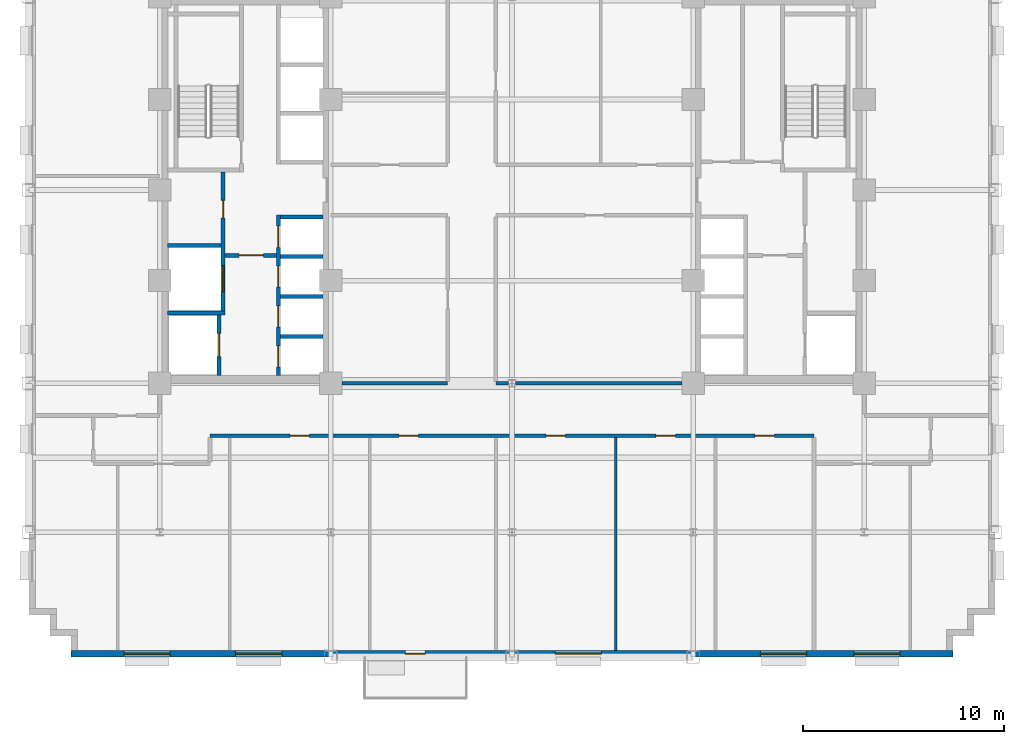
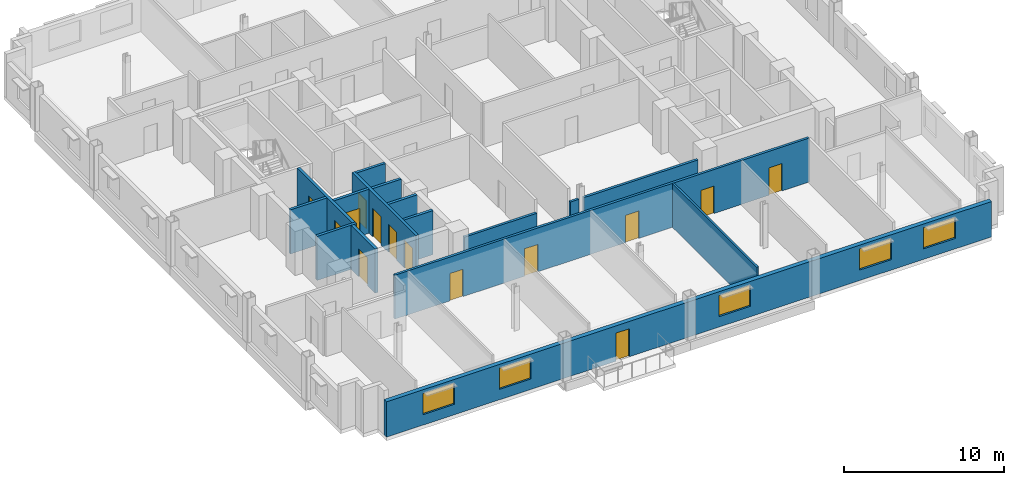
# One storey, part 6 of 14: 16 walls, 14 doors, 5 windows, 19 openings.
"""IFC4 building model written with IfcOpenShell, lengths in metres."""

from ifc_helpers import new_model, si_unit, direction, frame, frame_2d, origin, place, context, subcontext, project, spatial, rectangle, extrude, source, transform, mapped, material, layer, layer_set, type_object, type_shapes, element, fill, save


model = new_model("IFC4")

# Units and contexts
model_context = context("Model", 3, precision=1e-05, world=origin(), true_north=direction((0.0, 1.0)))
body_context = subcontext(model_context, "Body", "Model", "MODEL_VIEW")
ifc_project = project(units=[si_unit("LENGTHUNIT", "METRE"), si_unit("AREAUNIT", "SQUARE_METRE"), si_unit("VOLUMEUNIT", "CUBIC_METRE"), si_unit("PLANEANGLEUNIT", "RADIAN"), si_unit("MASSUNIT", "GRAM", prefix="KILO")], contexts=[model_context])

# Site, building, storey
site_placement = place(None, origin())
site = spatial("IfcSite", under=ifc_project, at=site_placement, CompositionType="ELEMENT")
building_placement = place(site_placement, origin())
building = spatial("IfcBuilding", under=site, at=building_placement, Name="Nuvemarco Arch Tower", CompositionType="ELEMENT")
storey_placement = place(building_placement, frame((0.0, 0.0, 98.300048828125)))
storey = spatial("IfcBuildingStorey", under=building, at=storey_placement, Name="L25", CompositionType="ELEMENT", Elevation=98.300048828125)

# Wall, openings, door, windows
ifc_material_1 = material(Name="Precast concrete C45/55", Category="concrete")
ifc_layer_1 = layer(ifc_material_1, 0.320068359375, Name="EW-MID-320")
ifc_layer_set_1 = layer_set([ifc_layer_1], Name="Precast concrete C45/55")
wall_type_1 = type_object("IfcWallType", Name="EW-MID-320", PredefinedType="STANDARD", material=ifc_layer_set_1)
wall_1_placement = place(storey_placement, frame((-21.89990234375, -23.0400390625, 0.0), z_axis=(0.0, 0.0, 1.0), x_axis=(1.0, 0.0, 0.0)))
wall_1 = element("IfcWall", 1, at=wall_1_placement, inside=storey, type_object=wall_type_1, Name="L25 exterior precast facade wall 1", PredefinedType="STANDARD", context=body_context, shape_type="SweptSolid", body=[
    extrude(rectangle(XDim=43.7998046875, YDim=0.320068359375, at=frame_2d((21.89990234375, 0.0))), origin(), (0.0, 0.0, 1.0), 2.704833984375),
])
opening_1_placement = place(wall_1_placement, frame((17.580078125, 0.0, 0.0), z_axis=(0.0, 0.0, 1.0), x_axis=(-1.0, 0.0, 0.0)))
opening_1 = element("IfcOpeningElement", 2, at=opening_1_placement, cuts=wall_1, Name="Opening ED-6", PredefinedType="OPENING", context=body_context, shape_type="SweptSolid", body=[
    extrude(rectangle(XDim=0.97998046875, YDim=2.14990234375, at=frame_2d((0.489990234375, 1.074951171875))), frame((0.0, 0.169921875, 0.0), z_axis=(0.0, -1.0, 0.0), x_axis=(1.0, 0.0, 0.0)), (0.0, 0.0, 1.0), 0.340087890625),
])
opening_2_placement = place(wall_1_placement, frame((2.622314453125, 0.0, 0.800048828125)))
opening_2 = element("IfcOpeningElement", 3, at=opening_2_placement, cuts=wall_1, Name="Opening WN-10", PredefinedType="OPENING", context=body_context, shape_type="SweptSolid", body=[
    extrude(rectangle(XDim=2.300048828125, YDim=1.6201171875, at=frame_2d((1.14990234375, 0.81005859375))), frame((0.0, 0.169921875, 0.0), z_axis=(0.0, -1.0, 0.0), x_axis=(1.0, 0.0, 0.0)), (0.0, 0.0, 1.0), 0.340087890625),
])
opening_3_placement = place(wall_1_placement, frame((8.166748046875, 0.0, 0.800048828125)))
opening_3 = element("IfcOpeningElement", 4, at=opening_3_placement, cuts=wall_1, Name="Opening WN-10", PredefinedType="OPENING", context=body_context, shape_type="SweptSolid", body=[
    extrude(rectangle(XDim=2.300048828125, YDim=1.6201171875, at=frame_2d((1.14990234375, 0.81005859375))), frame((0.0, 0.169921875, 0.0), z_axis=(0.0, -1.0, 0.0), x_axis=(1.0, 0.0, 0.0)), (0.0, 0.0, 1.0), 0.340087890625),
])
opening_4_placement = place(wall_1_placement, frame((24.04443359375, 0.0, 0.800048828125)))
opening_4 = element("IfcOpeningElement", 5, at=opening_4_placement, cuts=wall_1, Name="Opening WN-10", PredefinedType="OPENING", context=body_context, shape_type="SweptSolid", body=[
    extrude(rectangle(XDim=2.300048828125, YDim=1.6201171875, at=frame_2d((1.14990234375, 0.81005859375))), frame((0.0, 0.169921875, 0.0), z_axis=(0.0, -1.0, 0.0), x_axis=(1.0, 0.0, 0.0)), (0.0, 0.0, 1.0), 0.340087890625),
])
opening_5_placement = place(wall_1_placement, frame((34.2333984375, 0.0, 0.800048828125)))
opening_5 = element("IfcOpeningElement", 6, at=opening_5_placement, cuts=wall_1, Name="Opening WN-10", PredefinedType="OPENING", context=body_context, shape_type="SweptSolid", body=[
    extrude(rectangle(XDim=2.300048828125, YDim=1.6201171875, at=frame_2d((1.14990234375, 0.81005859375))), frame((0.0, 0.169921875, 0.0), z_axis=(0.0, -1.0, 0.0), x_axis=(1.0, 0.0, 0.0)), (0.0, 0.0, 1.0), 0.340087890625),
])
opening_6_placement = place(wall_1_placement, frame((38.877685546875, 0.0, 0.800048828125)))
opening_6 = element("IfcOpeningElement", 7, at=opening_6_placement, cuts=wall_1, Name="Opening WN-10", PredefinedType="OPENING", context=body_context, shape_type="SweptSolid", body=[
    extrude(rectangle(XDim=2.300048828125, YDim=1.6201171875, at=frame_2d((1.14990234375, 0.81005859375))), frame((0.0, 0.169921875, 0.0), z_axis=(0.0, -1.0, 0.0), x_axis=(1.0, 0.0, 0.0)), (0.0, 0.0, 1.0), 0.340087890625),
])
ifc_material_2 = material(Name="Anodised bronze and laminated glass", Category="glass")
door_type_1 = type_object("IfcDoorType", Name="DR-EXT-BALC", OperationType="NOTDEFINED", PredefinedType="DOOR", material=ifc_material_2)
shared_shape_1 = source(origin(), body_context, "Body", "SweptSolid", [
    extrude(rectangle(XDim=0.97998046875, YDim=2.14990234375, at=frame_2d((0.489990234375, 1.074951171875))), frame((0.0, 0.02490234375, 0.0), z_axis=(0.0, -1.0, 0.0), x_axis=(1.0, 0.0, 0.0)), (0.0, 0.0, 1.0), 0.050048828125),
])
type_shapes(door_type_1, [shared_shape_1])
door_1_placement = place(opening_1_placement, origin())
door_1 = element("IfcDoor", 8, at=door_1_placement, inside=storey, type_object=door_type_1, Name="L25 tree balcony access door", OperationType="SINGLE_SWING_RIGHT", OverallHeight=2.14990234375, OverallWidth=0.97998046875, PredefinedType="DOOR", context=body_context, shape_type="MappedRepresentation", body=[
    mapped(shared_shape_1, transform((0.0, 0.0, 0.0), scale=1.0)),
])
fill(opening_1, door_1)
ifc_material_3 = material(Name="Insulated solar-control glass", Category="glass")
window_type = type_object("IfcWindowType", Name="WN-STEP-2300x1700", PartitioningType="DOUBLE_PANEL_VERTICAL", PredefinedType="WINDOW", material=ifc_material_3)
shared_shape_2 = source(origin(), body_context, "Body", "SweptSolid", [
    extrude(rectangle(XDim=2.300048828125, YDim=1.6201171875, at=frame_2d((1.14990234375, 0.81005859375))), frame((0.0, 0.030029296875, 0.0), z_axis=(0.0, -1.0, 0.0), x_axis=(1.0, 0.0, 0.0)), (0.0, 0.0, 1.0), 0.06005859375),
])
type_shapes(window_type, [shared_shape_2])
window_1_placement = place(opening_2_placement, origin())
window_1 = element("IfcWindow", 9, at=window_1_placement, inside=storey, type_object=window_type, Name="L25 punched facade window 1", OverallHeight=1.6201171875, OverallWidth=2.300048828125, PartitioningType="SINGLE_PANEL", PredefinedType="WINDOW", context=body_context, shape_type="MappedRepresentation", body=[
    mapped(shared_shape_2, transform((0.0, 0.0, 0.0), scale=1.0)),
])
fill(opening_2, window_1)
window_2_placement = place(opening_3_placement, origin())
window_2 = element("IfcWindow", 10, at=window_2_placement, inside=storey, type_object=window_type, Name="L25 punched facade window 2", OverallHeight=1.6201171875, OverallWidth=2.300048828125, PartitioningType="SINGLE_PANEL", PredefinedType="WINDOW", context=body_context, shape_type="MappedRepresentation", body=[
    mapped(shared_shape_2, transform((0.0, 0.0, 0.0), scale=1.0)),
])
fill(opening_3, window_2)
window_3_placement = place(opening_4_placement, origin())
window_3 = element("IfcWindow", 11, at=window_3_placement, inside=storey, type_object=window_type, Name="L25 punched facade window 6", OverallHeight=1.6201171875, OverallWidth=2.300048828125, PartitioningType="SINGLE_PANEL", PredefinedType="WINDOW", context=body_context, shape_type="MappedRepresentation", body=[
    mapped(shared_shape_2, transform((0.0, 0.0, 0.0), scale=1.0)),
])
fill(opening_4, window_3)
window_4_placement = place(opening_5_placement, origin())
window_4 = element("IfcWindow", 12, at=window_4_placement, inside=storey, type_object=window_type, Name="L25 punched facade window 8", OverallHeight=1.6201171875, OverallWidth=2.300048828125, PartitioningType="SINGLE_PANEL", PredefinedType="WINDOW", context=body_context, shape_type="MappedRepresentation", body=[
    mapped(shared_shape_2, transform((0.0, 0.0, 0.0), scale=1.0)),
])
fill(opening_5, window_4)
window_5_placement = place(opening_6_placement, origin())
window_5 = element("IfcWindow", 13, at=window_5_placement, inside=storey, type_object=window_type, Name="L25 punched facade window 9", OverallHeight=1.6201171875, OverallWidth=2.300048828125, PartitioningType="SINGLE_PANEL", PredefinedType="WINDOW", context=body_context, shape_type="MappedRepresentation", body=[
    mapped(shared_shape_2, transform((0.0, 0.0, 0.0), scale=1.0)),
])
fill(opening_6, window_5)

# Wall, openings, doors
ifc_material_4 = material(Name="Fire-rated gypsum drywall partition")
ifc_layer_2 = layer(ifc_material_4, 0.179931640625, Name="WL-CORR-180")
ifc_layer_set_2 = layer_set([ifc_layer_2], Name="Fire-rated gypsum drywall partition")
wall_type_2 = type_object("IfcWallType", Name="WL-CORR-180", PredefinedType="PARTITIONING", material=ifc_layer_set_2)
wall_2_placement = place(storey_placement, frame((-15.0, -12.199951171875, 0.0), z_axis=(0.0, 0.0, 1.0), x_axis=(1.0, 0.0, 0.0)))
wall_2 = element("IfcWall", 14, at=wall_2_placement, inside=storey, type_object=wall_type_2, Name="L25 interior wall IW-L25-003", PredefinedType="PARTITIONING", context=body_context, shape_type="SweptSolid", body=[
    extrude(rectangle(XDim=30.0, YDim=0.179931640625, at=frame_2d((15.0, 0.0))), origin(), (0.0, 0.0, 1.0), 3.35986328125),
])
opening_7_placement = place(wall_2_placement, frame((3.97998046875, 0.0, 0.0)))
opening_7 = element("IfcOpeningElement", 15, at=opening_7_placement, cuts=wall_2, Name="Opening FD-5", PredefinedType="OPENING", context=body_context, shape_type="SweptSolid", body=[
    extrude(rectangle(XDim=0.9599609375, YDim=2.10009765625, at=frame_2d((0.47998046875, 1.050048828125))), frame((0.0, 0.099853515625, 0.0), z_axis=(0.0, -1.0, 0.0), x_axis=(1.0, 0.0, 0.0)), (0.0, 0.0, 1.0), 0.199951171875),
])
opening_8_placement = place(wall_2_placement, frame((16.695068359375, 0.0, 0.0)))
opening_8 = element("IfcOpeningElement", 16, at=opening_8_placement, cuts=wall_2, Name="Opening FD-5", PredefinedType="OPENING", context=body_context, shape_type="SweptSolid", body=[
    extrude(rectangle(XDim=0.9599609375, YDim=2.10009765625, at=frame_2d((0.47998046875, 1.050048828125))), frame((0.0, 0.099853515625, 0.0), z_axis=(0.0, -1.0, 0.0), x_axis=(1.0, 0.0, 0.0)), (0.0, 0.0, 1.0), 0.199951171875),
])
opening_9_placement = place(wall_2_placement, frame((22.14990234375, 0.0, 0.0)))
opening_9 = element("IfcOpeningElement", 17, at=opening_9_placement, cuts=wall_2, Name="Opening FD-5", PredefinedType="OPENING", context=body_context, shape_type="SweptSolid", body=[
    extrude(rectangle(XDim=0.9599609375, YDim=2.10009765625, at=frame_2d((0.47998046875, 1.050048828125))), frame((0.0, 0.099853515625, 0.0), z_axis=(0.0, -1.0, 0.0), x_axis=(1.0, 0.0, 0.0)), (0.0, 0.0, 1.0), 0.199951171875),
])
opening_10_placement = place(wall_2_placement, frame((27.074951171875, 0.0, 0.0)))
opening_10 = element("IfcOpeningElement", 18, at=opening_10_placement, cuts=wall_2, Name="Opening FD-5", PredefinedType="OPENING", context=body_context, shape_type="SweptSolid", body=[
    extrude(rectangle(XDim=0.9599609375, YDim=2.10009765625, at=frame_2d((0.47998046875, 1.050048828125))), frame((0.0, 0.099853515625, 0.0), z_axis=(0.0, -1.0, 0.0), x_axis=(1.0, 0.0, 0.0)), (0.0, 0.0, 1.0), 0.199951171875),
])
opening_11_placement = place(wall_2_placement, frame((9.389892578125, 0.0, 0.0)))
opening_11 = element("IfcOpeningElement", 19, at=opening_11_placement, cuts=wall_2, Name="Opening FD-5", PredefinedType="OPENING", context=body_context, shape_type="SweptSolid", body=[
    extrude(rectangle(XDim=0.9599609375, YDim=2.10009765625, at=frame_2d((0.47998046875, 1.050048828125))), frame((0.0, 0.099853515625, 0.0), z_axis=(0.0, -1.0, 0.0), x_axis=(1.0, 0.0, 0.0)), (0.0, 0.0, 1.0), 0.199951171875),
])
ifc_material_5 = material(Name="Timber fire door", Category="wood")
door_type_2 = type_object("IfcDoorType", Name="DR-CORR-FD", OperationType="NOTDEFINED", PredefinedType="DOOR", material=ifc_material_5)
shared_shape_3 = source(origin(), body_context, "Body", "SweptSolid", [
    extrude(rectangle(XDim=0.9599609375, YDim=2.10009765625, at=frame_2d((0.47998046875, 1.050048828125))), frame((0.0, 0.02490234375, 0.0), z_axis=(0.0, -1.0, 0.0), x_axis=(1.0, 0.0, 0.0)), (0.0, 0.0, 1.0), 0.050048828125),
])
type_shapes(door_type_2, [shared_shape_3])
door_2_placement = place(opening_7_placement, origin())
door_2 = element("IfcDoor", 20, at=door_2_placement, inside=storey, type_object=door_type_2, Name="L25 door DR-L25-S_3", OperationType="SINGLE_SWING_RIGHT", OverallHeight=2.10009765625, OverallWidth=0.9599609375, PredefinedType="DOOR", context=body_context, shape_type="MappedRepresentation", body=[
    mapped(shared_shape_3, transform((0.0, 0.0, 0.0), scale=1.0)),
])
fill(opening_7, door_2)
door_3_placement = place(opening_8_placement, origin())
door_3 = element("IfcDoor", 21, at=door_3_placement, inside=storey, type_object=door_type_2, Name="L25 door DR-L25-S_5", OperationType="SINGLE_SWING_LEFT", OverallHeight=2.10009765625, OverallWidth=0.9599609375, PredefinedType="DOOR", context=body_context, shape_type="MappedRepresentation", body=[
    mapped(shared_shape_3, transform((0.0, 0.0, 0.0), scale=1.0)),
])
fill(opening_8, door_3)
door_4_placement = place(opening_9_placement, origin())
door_4 = element("IfcDoor", 22, at=door_4_placement, inside=storey, type_object=door_type_2, Name="L25 door DR-L25-S_6", OperationType="SINGLE_SWING_LEFT", OverallHeight=2.10009765625, OverallWidth=0.9599609375, PredefinedType="DOOR", context=body_context, shape_type="MappedRepresentation", body=[
    mapped(shared_shape_3, transform((0.0, 0.0, 0.0), scale=1.0)),
])
fill(opening_9, door_4)
door_5_placement = place(opening_10_placement, origin())
door_5 = element("IfcDoor", 23, at=door_5_placement, inside=storey, type_object=door_type_2, Name="L25 door DR-L25-S_7", OperationType="SINGLE_SWING_RIGHT", OverallHeight=2.10009765625, OverallWidth=0.9599609375, PredefinedType="DOOR", context=body_context, shape_type="MappedRepresentation", body=[
    mapped(shared_shape_3, transform((0.0, 0.0, 0.0), scale=1.0)),
])
fill(opening_10, door_5)
door_6_placement = place(opening_11_placement, origin())
door_6 = element("IfcDoor", 24, at=door_6_placement, inside=storey, type_object=door_type_2, Name="L25 door DR-L25-S_4", OperationType="SINGLE_SWING_RIGHT", OverallHeight=2.10009765625, OverallWidth=0.9599609375, PredefinedType="DOOR", context=body_context, shape_type="MappedRepresentation", body=[
    mapped(shared_shape_3, transform((0.0, 0.0, 0.0), scale=1.0)),
])
fill(opening_11, door_6)

# Walls
wall_3_placement = place(storey_placement, frame((-8.4541015625, -9.60009765625, 0.0), z_axis=(0.0, 0.0, 1.0), x_axis=(1.0, 0.0, 0.0)))
element("IfcWall", 25, at=wall_3_placement, inside=storey, type_object=wall_type_2, Name="L25 interior wall IW-L25-006", PredefinedType="PARTITIONING", context=body_context, shape_type="SweptSolid", body=[
    extrude(rectangle(XDim=5.254150390625, YDim=0.179931640625, at=frame_2d((2.626953125, 0.0))), origin(), (0.0, 0.0, 1.0), 2.405029296875),
])
wall_4_placement = place(storey_placement, frame((-0.800048828125, -9.60009765625, 0.0), z_axis=(0.0, 0.0, 1.0), x_axis=(1.0, 0.0, 0.0)))
element("IfcWall", 26, at=wall_4_placement, inside=storey, type_object=wall_type_2, Name="L25 interior wall IW-L25-007", PredefinedType="PARTITIONING", context=body_context, shape_type="SweptSolid", body=[
    extrude(rectangle(XDim=0.6240234375, YDim=0.179931640625, at=frame_2d((0.31201171875, 0.0))), origin(), (0.0, 0.0, 1.0), 2.405029296875),
])
wall_5_placement = place(storey_placement, frame((0.176025390625, -9.60009765625, 0.0), z_axis=(0.0, 0.0, 1.0), x_axis=(1.0, 0.0, 0.0)))
element("IfcWall", 27, at=wall_5_placement, inside=storey, type_object=wall_type_2, Name="L25 interior wall IW-L25-008", PredefinedType="PARTITIONING", context=body_context, shape_type="SweptSolid", body=[
    extrude(rectangle(XDim=8.278076171875, YDim=0.179931640625, at=frame_2d((4.13916015625, 0.0))), origin(), (0.0, 0.0, 1.0), 2.405029296875),
])
ifc_material_6 = material(Name="Gypsum plasterboard partition")
ifc_layer_3 = layer(ifc_material_6, 0.139892578125, Name="WL-ROOM-140")
ifc_layer_set_3 = layer_set([ifc_layer_3], Name="Gypsum plasterboard partition")
wall_type_3 = type_object("IfcWallType", Name="WL-ROOM-140", PredefinedType="PARTITIONING", material=ifc_layer_set_3)
wall_6_placement = place(storey_placement, frame((5.14990234375, -22.8798828125, 0.0), z_axis=(0.0, 0.0, 1.0), x_axis=(0.0, 1.0, 0.0)))
element("IfcWall", 28, at=wall_6_placement, inside=storey, type_object=wall_type_3, Name="L25 interior wall IW-L25-045", PredefinedType="PARTITIONING", context=body_context, shape_type="SweptSolid", body=[
    extrude(rectangle(XDim=10.593994140625, YDim=0.139892578125, at=frame_2d((5.296875, 0.0))), origin(), (0.0, 0.0, 1.0), 3.35986328125),
])

# Wall, opening, door
ifc_material_7 = material(Name="Concrete C50/60", Category="concrete")
ifc_layer_4 = layer(ifc_material_7, 0.199951171875, Name="WL-SHAFT-220")
ifc_layer_set_4 = layer_set([ifc_layer_4], Name="Concrete C50/60")
wall_type_4 = type_object("IfcWallType", Name="WL-SHAFT-220", PredefinedType="SHEAR", material=ifc_layer_set_4)
wall_7_placement = place(storey_placement, frame((-14.550048828125, -9.205078125, 0.0), z_axis=(0.0, 0.0, 1.0), x_axis=(0.0, 1.0, 0.0)))
wall_7 = element("IfcWall", 29, at=wall_7_placement, inside=storey, type_object=wall_type_4, Name="L25 structural shaft wall SW-L25-W-SHE", PredefinedType="SHEAR", context=body_context, shape_type="SweptSolid", body=[
    extrude(rectangle(XDim=3.010009765625, YDim=0.199951171875, at=frame_2d((1.5048828125, 0.0))), origin(), (0.0, 0.0, 1.0), 3.369873046875),
])
opening_12_placement = place(wall_7_placement, frame((0.929931640625, 0.0, 0.0)))
opening_12 = element("IfcOpeningElement", 30, at=opening_12_placement, cuts=wall_7, Name="Opening LD-2", PredefinedType="OPENING", context=body_context, shape_type="SweptSolid", body=[
    extrude(rectangle(XDim=1.14990234375, YDim=2.14990234375, at=frame_2d((0.574951171875, 1.074951171875))), frame((0.0, 0.10986328125, 0.0), z_axis=(0.0, -1.0, 0.0), x_axis=(1.0, 0.0, 0.0)), (0.0, 0.0, 1.0), 0.219970703125),
])
ifc_material_8 = material(Name="Stainless steel lift door", Category="steel")
door_type_3 = type_object("IfcDoorType", Name="DR-LIFT-FIRE", OperationType="DOUBLE_DOOR_SLIDING", PredefinedType="DOOR", material=ifc_material_8)
shared_shape_4 = source(origin(), body_context, "Body", "SweptSolid", [
    extrude(rectangle(XDim=1.14990234375, YDim=2.14990234375, at=frame_2d((0.574951171875, 1.074951171875))), frame((0.0, 0.02490234375, 0.0), z_axis=(0.0, -1.0, 0.0), x_axis=(1.0, 0.0, 0.0)), (0.0, 0.0, 1.0), 0.050048828125),
])
type_shapes(door_type_3, [shared_shape_4])
door_7_placement = place(opening_12_placement, origin())
door_7 = element("IfcDoor", 31, at=door_7_placement, inside=storey, type_object=door_type_3, Name="L25 Lift landing sliding door FFL-1", OperationType="DOUBLE_DOOR_SLIDING", OverallHeight=2.14990234375, OverallWidth=1.14990234375, PredefinedType="DOOR", context=body_context, shape_type="MappedRepresentation", body=[
    mapped(shared_shape_4, transform((0.0, 0.0, 0.0), scale=1.0)),
])
fill(opening_12, door_7)

# Wall, openings, doors
wall_8_placement = place(storey_placement, frame((-14.35009765625, -6.199951171875, 0.0), z_axis=(0.0, 0.0, 1.0), x_axis=(0.0, 1.0, 0.0)))
wall_8 = element("IfcWall", 32, at=wall_8_placement, inside=storey, type_object=wall_type_4, Name="L25 structural shaft wall SW-L25-W-SVE", PredefinedType="SHEAR", context=body_context, shape_type="SweptSolid", body=[
    extrude(rectangle(XDim=7.10498046875, YDim=0.199951171875, at=frame_2d((3.552490234375, 0.0))), origin(), (0.0, 0.0, 1.0), 3.369873046875),
])
opening_13_placement = place(wall_8_placement, frame((5.68994140625, 0.0, 0.0), z_axis=(0.0, 0.0, 1.0), x_axis=(-1.0, 0.0, 0.0)))
opening_13 = element("IfcOpeningElement", 33, at=opening_13_placement, cuts=wall_8, Name="Opening FD-4", PredefinedType="OPENING", context=body_context, shape_type="SweptSolid", body=[
    extrude(rectangle(XDim=0.8798828125, YDim=2.10009765625, at=frame_2d((0.43994140625, 1.050048828125))), frame((0.0, 0.10986328125, 0.0), z_axis=(0.0, -1.0, 0.0), x_axis=(1.0, 0.0, 0.0)), (0.0, 0.0, 1.0), 0.219970703125),
])
opening_14_placement = place(wall_8_placement, frame((1.14990234375, 0.0, 0.0)))
opening_14 = element("IfcOpeningElement", 34, at=opening_14_placement, cuts=wall_8, Name="Opening LD-3", PredefinedType="OPENING", context=body_context, shape_type="SweptSolid", body=[
    extrude(rectangle(XDim=1.300048828125, YDim=2.199951171875, at=frame_2d((0.64990234375, 1.10009765625))), frame((0.0, 0.10986328125, 0.0), z_axis=(0.0, -1.0, 0.0), x_axis=(1.0, 0.0, 0.0)), (0.0, 0.0, 1.0), 0.219970703125),
])
ifc_material_9 = material(Name="Anodised steel fire door", Category="steel")
door_type_4 = type_object("IfcDoorType", Name="DR-RISER-FD", OperationType="NOTDEFINED", PredefinedType="DOOR", material=ifc_material_9)
shared_shape_5 = source(origin(), body_context, "Body", "SweptSolid", [
    extrude(rectangle(XDim=0.8798828125, YDim=2.10009765625, at=frame_2d((0.43994140625, 1.050048828125))), frame((0.0, 0.02490234375, 0.0), z_axis=(0.0, -1.0, 0.0), x_axis=(1.0, 0.0, 0.0)), (0.0, 0.0, 1.0), 0.050048828125),
])
type_shapes(door_type_4, [shared_shape_5])
door_8_placement = place(opening_13_placement, origin())
door_8 = element("IfcDoor", 35, at=door_8_placement, inside=storey, type_object=door_type_4, Name="L25 door FD-L25-WRIS", OperationType="SINGLE_SWING_RIGHT", OverallHeight=2.10009765625, OverallWidth=0.8798828125, PredefinedType="DOOR", context=body_context, shape_type="MappedRepresentation", body=[
    mapped(shared_shape_5, transform((0.0, 0.0, 0.0), scale=1.0)),
])
fill(opening_13, door_8)
door_type_5 = type_object("IfcDoorType", Name="DR-LIFT-SERV", OperationType="DOUBLE_DOOR_SLIDING", PredefinedType="DOOR", material=ifc_material_8)
shared_shape_6 = source(origin(), body_context, "Body", "SweptSolid", [
    extrude(rectangle(XDim=1.300048828125, YDim=2.199951171875, at=frame_2d((0.64990234375, 1.10009765625))), frame((0.0, 0.02490234375, 0.0), z_axis=(0.0, -1.0, 0.0), x_axis=(1.0, 0.0, 0.0)), (0.0, 0.0, 1.0), 0.050048828125),
])
type_shapes(door_type_5, [shared_shape_6])
door_9_placement = place(opening_14_placement, origin())
door_9 = element("IfcDoor", 36, at=door_9_placement, inside=storey, type_object=door_type_5, Name="L25 Lift landing sliding door SVL-1", OperationType="DOUBLE_DOOR_SLIDING", OverallHeight=2.199951171875, OverallWidth=1.300048828125, PredefinedType="DOOR", context=body_context, shape_type="MappedRepresentation", body=[
    mapped(shared_shape_6, transform((0.0, 0.0, 0.0), scale=1.0)),
])
fill(opening_14, door_9)

# Walls
wall_9_placement = place(storey_placement, frame((-17.10498046875, -6.10009765625, 0.0), z_axis=(0.0, 0.0, 1.0), x_axis=(1.0, 0.0, 0.0)))
element("IfcWall", 37, at=wall_9_placement, inside=storey, type_object=wall_type_4, Name="L25 structural shaft wall SW-L25-W-SH1", PredefinedType="SHEAR", context=body_context, shape_type="SweptSolid", body=[
    extrude(rectangle(XDim=2.85498046875, YDim=0.199951171875, at=frame_2d((1.427490234375, 0.0))), origin(), (0.0, 0.0, 1.0), 3.369873046875),
])
wall_10_placement = place(storey_placement, frame((-17.10498046875, -2.75, 0.0), z_axis=(0.0, 0.0, 1.0), x_axis=(1.0, 0.0, 0.0)))
element("IfcWall", 38, at=wall_10_placement, inside=storey, type_object=wall_type_4, Name="L25 structural shaft wall SW-L25-W-SH2", PredefinedType="SHEAR", context=body_context, shape_type="SweptSolid", body=[
    extrude(rectangle(XDim=2.659912109375, YDim=0.199951171875, at=frame_2d((1.330078125, 0.0))), origin(), (0.0, 0.0, 1.0), 3.369873046875),
])

# Wall, openings, doors
wall_11_placement = place(storey_placement, frame((-11.60009765625, -9.205078125, 0.0), z_axis=(0.0, 0.0, 1.0), x_axis=(0.0, 1.0, 0.0)))
wall_11 = element("IfcWall", 39, at=wall_11_placement, inside=storey, type_object=wall_type_4, Name="L25 structural shaft wall SW-L25-W-PLW", PredefinedType="SHEAR", context=body_context, shape_type="SweptSolid", body=[
    extrude(rectangle(XDim=7.97509765625, YDim=0.199951171875, at=frame_2d((3.987548828125, 0.0))), origin(), (0.0, 0.0, 1.0), 3.369873046875),
])
opening_15_placement = place(wall_11_placement, frame((0.419921875, 0.0, 0.0)))
opening_15 = element("IfcOpeningElement", 40, at=opening_15_placement, cuts=wall_11, Name="Opening LD-1", PredefinedType="OPENING", context=body_context, shape_type="SweptSolid", body=[
    extrude(rectangle(XDim=1.050048828125, YDim=2.14990234375, at=frame_2d((0.52490234375, 1.074951171875))), frame((0.0, 0.10986328125, 0.0), z_axis=(0.0, -1.0, 0.0), x_axis=(1.0, 0.0, 0.0)), (0.0, 0.0, 1.0), 0.219970703125),
])
opening_16_placement = place(wall_11_placement, frame((2.39990234375, 0.0, 0.0)))
opening_16 = element("IfcOpeningElement", 41, at=opening_16_placement, cuts=wall_11, Name="Opening LD-1", PredefinedType="OPENING", context=body_context, shape_type="SweptSolid", body=[
    extrude(rectangle(XDim=1.050048828125, YDim=2.14990234375, at=frame_2d((0.52490234375, 1.074951171875))), frame((0.0, 0.10986328125, 0.0), z_axis=(0.0, -1.0, 0.0), x_axis=(1.0, 0.0, 0.0)), (0.0, 0.0, 1.0), 0.219970703125),
])
opening_17_placement = place(wall_11_placement, frame((4.3798828125, 0.0, 0.0)))
opening_17 = element("IfcOpeningElement", 42, at=opening_17_placement, cuts=wall_11, Name="Opening LD-1", PredefinedType="OPENING", context=body_context, shape_type="SweptSolid", body=[
    extrude(rectangle(XDim=1.050048828125, YDim=2.14990234375, at=frame_2d((0.52490234375, 1.074951171875))), frame((0.0, 0.10986328125, 0.0), z_axis=(0.0, -1.0, 0.0), x_axis=(1.0, 0.0, 0.0)), (0.0, 0.0, 1.0), 0.219970703125),
])
opening_18_placement = place(wall_11_placement, frame((6.360107421875, 0.0, 0.0)))
opening_18 = element("IfcOpeningElement", 43, at=opening_18_placement, cuts=wall_11, Name="Opening LD-1", PredefinedType="OPENING", context=body_context, shape_type="SweptSolid", body=[
    extrude(rectangle(XDim=1.050048828125, YDim=2.14990234375, at=frame_2d((0.52490234375, 1.074951171875))), frame((0.0, 0.10986328125, 0.0), z_axis=(0.0, -1.0, 0.0), x_axis=(1.0, 0.0, 0.0)), (0.0, 0.0, 1.0), 0.219970703125),
])
door_type_6 = type_object("IfcDoorType", Name="DR-LIFT-PASS", OperationType="DOUBLE_DOOR_SLIDING", PredefinedType="DOOR", material=ifc_material_8)
shared_shape_7 = source(origin(), body_context, "Body", "SweptSolid", [
    extrude(rectangle(XDim=1.050048828125, YDim=2.14990234375, at=frame_2d((0.52490234375, 1.074951171875))), frame((0.0, 0.02490234375, 0.0), z_axis=(0.0, -1.0, 0.0), x_axis=(1.0, 0.0, 0.0)), (0.0, 0.0, 1.0), 0.050048828125),
])
type_shapes(door_type_6, [shared_shape_7])
door_10_placement = place(opening_15_placement, origin())
door_10 = element("IfcDoor", 44, at=door_10_placement, inside=storey, type_object=door_type_6, Name="L25 Lift landing sliding door PL-1", OperationType="DOUBLE_DOOR_SLIDING", OverallHeight=2.14990234375, OverallWidth=1.050048828125, PredefinedType="DOOR", context=body_context, shape_type="MappedRepresentation", body=[
    mapped(shared_shape_7, transform((0.0, 0.0, 0.0), scale=1.0)),
])
fill(opening_15, door_10)
door_11_placement = place(opening_16_placement, origin())
door_11 = element("IfcDoor", 45, at=door_11_placement, inside=storey, type_object=door_type_6, Name="L25 Lift landing sliding door PL-2", OperationType="DOUBLE_DOOR_SLIDING", OverallHeight=2.14990234375, OverallWidth=1.050048828125, PredefinedType="DOOR", context=body_context, shape_type="MappedRepresentation", body=[
    mapped(shared_shape_7, transform((0.0, 0.0, 0.0), scale=1.0)),
])
fill(opening_16, door_11)
door_12_placement = place(opening_17_placement, origin())
door_12 = element("IfcDoor", 46, at=door_12_placement, inside=storey, type_object=door_type_6, Name="L25 Lift landing sliding door PL-3", OperationType="DOUBLE_DOOR_SLIDING", OverallHeight=2.14990234375, OverallWidth=1.050048828125, PredefinedType="DOOR", context=body_context, shape_type="MappedRepresentation", body=[
    mapped(shared_shape_7, transform((0.0, 0.0, 0.0), scale=1.0)),
])
fill(opening_17, door_12)
door_13_placement = place(opening_18_placement, origin())
door_13 = element("IfcDoor", 47, at=door_13_placement, inside=storey, type_object=door_type_6, Name="L25 Lift landing sliding door PL-4", OperationType="DOUBLE_DOOR_SLIDING", OverallHeight=2.14990234375, OverallWidth=1.050048828125, PredefinedType="DOOR", context=body_context, shape_type="MappedRepresentation", body=[
    mapped(shared_shape_7, transform((0.0, 0.0, 0.0), scale=1.0)),
])
fill(opening_18, door_13)

# Wall, opening, door
wall_12_placement = place(storey_placement, frame((-14.2548828125, -3.25, 0.0), z_axis=(0.0, 0.0, 1.0), x_axis=(1.0, 0.0, 0.0)))
wall_12 = element("IfcWall", 48, at=wall_12_placement, inside=storey, type_object=wall_type_4, Name="L25 structural shaft wall SW-L25-W-FFN", PredefinedType="SHEAR", context=body_context, shape_type="SweptSolid", body=[
    extrude(rectangle(XDim=2.559814453125, YDim=0.199951171875, at=frame_2d((1.27978515625, 0.0))), origin(), (0.0, 0.0, 1.0), 3.369873046875),
])
opening_19_placement = place(wall_12_placement, frame((0.705078125, 0.0, 0.0)))
opening_19 = element("IfcOpeningElement", 49, at=opening_19_placement, cuts=wall_12, Name="Opening FD-2", PredefinedType="OPENING", context=body_context, shape_type="SweptSolid", body=[
    extrude(rectangle(XDim=1.199951171875, YDim=2.14990234375, at=frame_2d((0.60009765625, 1.074951171875))), frame((0.0, 0.10986328125, 0.0), z_axis=(0.0, -1.0, 0.0), x_axis=(1.0, 0.0, 0.0)), (0.0, 0.0, 1.0), 0.219970703125),
])
door_type_7 = type_object("IfcDoorType", Name="DR-FFLOB-FD", OperationType="NOTDEFINED", PredefinedType="DOOR", material=ifc_material_9)
shared_shape_8 = source(origin(), body_context, "Body", "SweptSolid", [
    extrude(rectangle(XDim=1.199951171875, YDim=2.14990234375, at=frame_2d((0.60009765625, 1.074951171875))), frame((0.0, 0.02490234375, 0.0), z_axis=(0.0, -1.0, 0.0), x_axis=(1.0, 0.0, 0.0)), (0.0, 0.0, 1.0), 0.050048828125),
])
type_shapes(door_type_7, [shared_shape_8])
door_14_placement = place(opening_19_placement, origin())
door_14 = element("IfcDoor", 50, at=door_14_placement, inside=storey, type_object=door_type_7, Name="L25 door FD-L25-WFF1", OperationType="SINGLE_SWING_RIGHT", OverallHeight=2.14990234375, OverallWidth=1.199951171875, PredefinedType="DOOR", context=body_context, shape_type="MappedRepresentation", body=[
    mapped(shared_shape_8, transform((0.0, 0.0, 0.0), scale=1.0)),
])
fill(opening_19, door_14)

# Walls
for number, where, z_axis, x_axis, name in (
    (51, (-11.5048828125, -7.27001953125, 0.0), (0.0, 0.0, 1.0), (1.0, 0.0, 0.0), "L25 structural shaft wall SW-L25-W-PLD1"),
    (52, (-11.5048828125, -5.2900390625, 0.0), (0.0, 0.0, 1.0), (1.0, 0.0, 0.0), "L25 structural shaft wall SW-L25-W-PLD2"),
    (53, (-11.5048828125, -3.31005859375, 0.0), (0.0, 0.0, 1.0), (1.0, 0.0, 0.0), "L25 structural shaft wall SW-L25-W-PLD3"),
    (54, (-11.5048828125, -1.330078125, 0.0), (0.0, 0.0, 1.0), (1.0, 0.0, 0.0), "L25 structural shaft wall SW-L25-W-PLD4"),
):
    element("IfcWall", number, at=place(storey_placement, frame(where, z_axis=z_axis, x_axis=x_axis)), inside=storey, type_object=wall_type_4, Name=name, PredefinedType="SHEAR", context=body_context, shape_type="SweptSolid", body=[
        extrude(rectangle(XDim=2.10986328125, YDim=0.199951171875, at=frame_2d((1.054931640625, 0.0))), origin(), (0.0, 0.0, 1.0), 3.369873046875),
    ])

save(model, "model.ifc")
